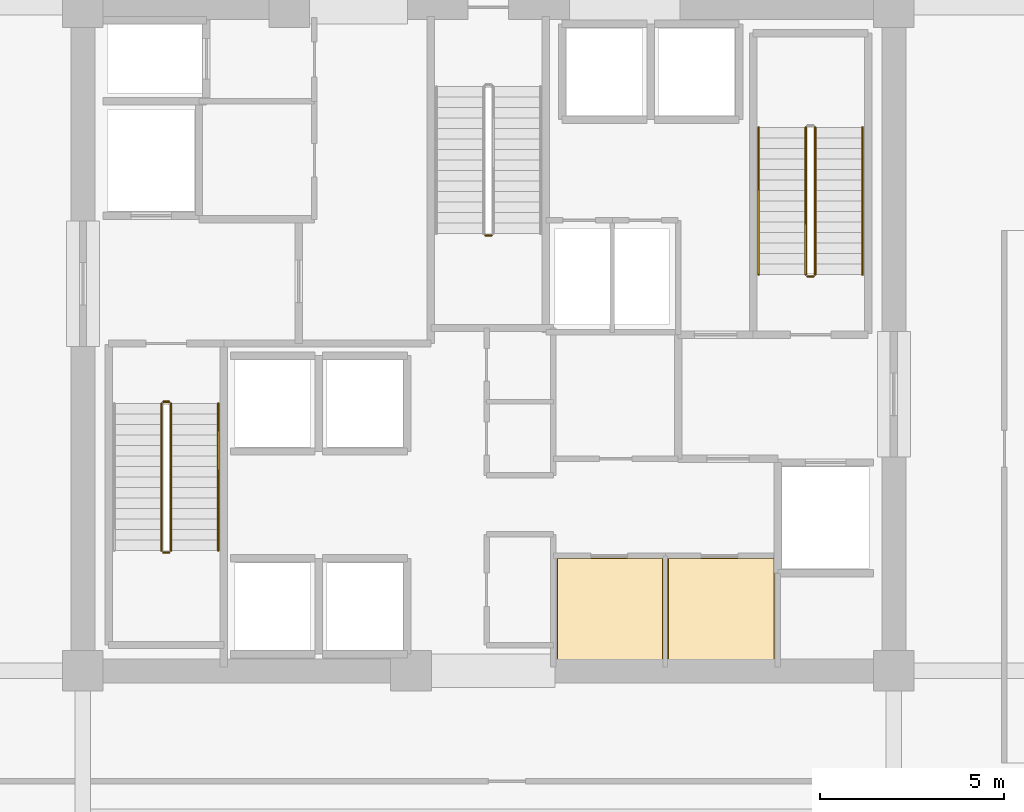
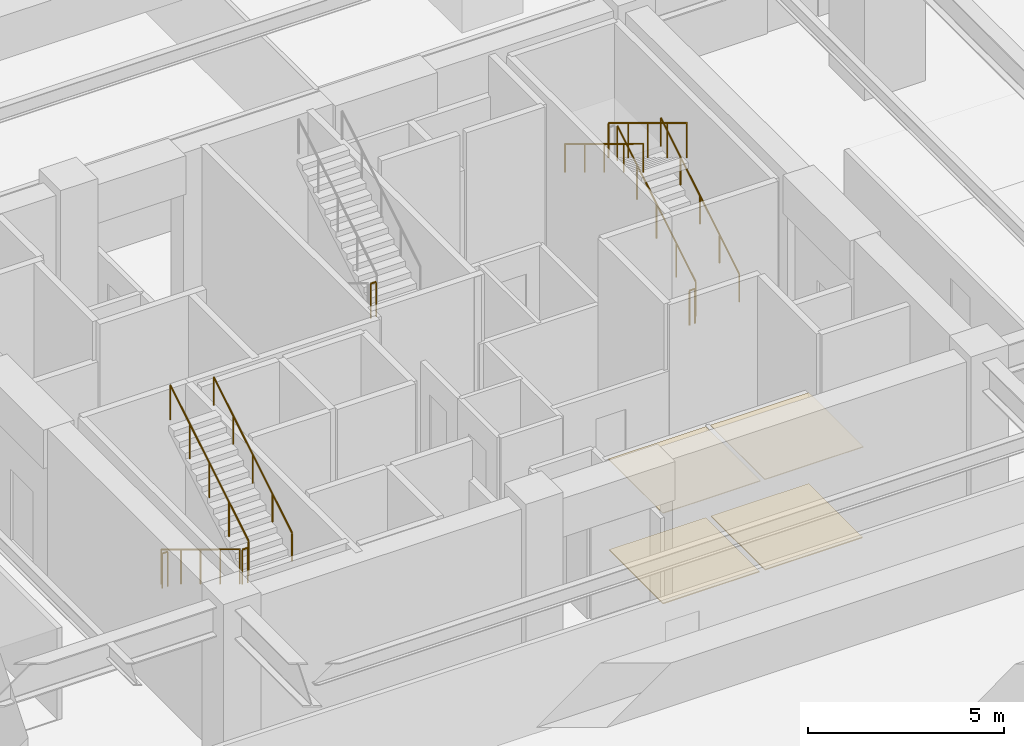
# One storey, part 41 of 45: 11 railings, 4 coverings.
"""IFC4 building model written with IfcOpenShell, lengths in metres."""

from ifc_helpers import new_model, si_unit, direction, frame, origin, origin_2d, place, context, subcontext, project, spatial, polyline, circle, outline, extrude, material, layer, layer_set, type_object, element, save


model = new_model("IFC4")

# Units and contexts
model_context = context("Model", 3, precision=1e-05, world=origin(), true_north=direction((0.0, 1.0)))
body_context = subcontext(model_context, "Body", "Model", "MODEL_VIEW")
ifc_project = project(units=[si_unit("LENGTHUNIT", "METRE"), si_unit("AREAUNIT", "SQUARE_METRE"), si_unit("VOLUMEUNIT", "CUBIC_METRE"), si_unit("PLANEANGLEUNIT", "RADIAN"), si_unit("MASSUNIT", "GRAM", prefix="KILO")], contexts=[model_context])

# Site, building, storey
site_placement = place(None, origin())
site = spatial("IfcSite", under=ifc_project, at=site_placement, CompositionType="ELEMENT")
building_placement = place(site_placement, origin())
building = spatial("IfcBuilding", under=site, at=building_placement, Name="Kovane Verandah Tower", CompositionType="ELEMENT")
storey_placement = place(building_placement, frame((0.0, 0.0, 6.0)))
storey = spatial("IfcBuildingStorey", under=building, at=storey_placement, Name="L01", CompositionType="ELEMENT", Elevation=6.0)

# Coverings
ifc_material_1 = material(Name="Perforated Acoustic Mineral-Fibre Ceiling Tile", Category="gypsum")
ifc_layer_1 = layer(ifc_material_1, 0.02490234375)
ifc_layer_set_1 = layer_set([ifc_layer_1], Name="Perforated Acoustic Mineral-Fibre Ceiling Tile")
covering_type_1 = type_object("IfcCoveringType", Name="CV-CEIL-25", PredefinedType="CEILING", material=ifc_layer_set_1)
covering_1_placement = place(storey_placement, frame((0.0, 0.0, 2.824951171875)))
element("IfcCovering", 1, at=covering_1_placement, inside=storey, type_object=covering_type_1, Name="L01 AV Control Room Acoustic Ceiling", PredefinedType="CEILING", context=body_context, shape_type="SweptSolid", body=[
    extrude(outline(polyline([(41.864990234375, 18.784912109375), (44.735107421875, 18.784912109375), (44.735107421875, 21.56494140625), (41.864990234375, 21.56494140625), (41.864990234375, 18.784912109375)])), origin(), (0.0, 0.0, 1.0), 0.025146484375),
])
covering_2_placement = place(storey_placement, frame((0.0, 0.0, 2.824951171875)))
element("IfcCovering", 2, at=covering_2_placement, inside=storey, type_object=covering_type_1, Name="L01 East IT Server Room Acoustic Ceiling", PredefinedType="CEILING", context=body_context, shape_type="SweptSolid", body=[
    extrude(outline(polyline([(44.864990234375, 18.784912109375), (47.764892578125, 18.784912109375), (47.764892578125, 21.56494140625), (44.864990234375, 21.56494140625), (44.864990234375, 18.784912109375)])), origin(), (0.0, 0.0, 1.0), 0.025146484375),
])
ifc_material_2 = material(Name="Polished Terrazzo and Raised-Access Carpet Tile Finish", Category="concrete")
ifc_layer_2 = layer(ifc_material_2, 0.030029296875)
ifc_layer_set_2 = layer_set([ifc_layer_2], Name="Polished Terrazzo and Raised-Access Carpet Tile Finish")
covering_type_2 = type_object("IfcCoveringType", Name="CV-FLOR-30", PredefinedType="FLOORING", material=ifc_layer_set_2)
covering_3_placement = place(storey_placement, origin())
element("IfcCovering", 3, at=covering_3_placement, inside=storey, type_object=covering_type_2, Name="L01 AV Control Room Floor Finish", PredefinedType="FLOORING", context=body_context, shape_type="SweptSolid", body=[
    extrude(outline(polyline([(41.8798828125, 18.800048828125), (44.719970703125, 18.800048828125), (44.719970703125, 21.550048828125), (41.8798828125, 21.550048828125), (41.8798828125, 18.800048828125)])), origin(), (0.0, 0.0, 1.0), 0.030029296875),
])
covering_4_placement = place(storey_placement, origin())
element("IfcCovering", 4, at=covering_4_placement, inside=storey, type_object=covering_type_2, Name="L01 East IT Server Room Floor Finish", PredefinedType="FLOORING", context=body_context, shape_type="SweptSolid", body=[
    extrude(outline(polyline([(44.8798828125, 18.800048828125), (47.75, 18.800048828125), (47.75, 21.550048828125), (44.8798828125, 21.550048828125), (44.8798828125, 18.800048828125)])), origin(), (0.0, 0.0, 1.0), 0.030029296875),
])

# Railings
ifc_material_3 = material(Name="Brushed Stainless Steel Handrail", Category="steel")
railing_type_1 = type_object("IfcRailingType", Name="RL-HAND-920", PredefinedType="HANDRAIL", material=ifc_material_3)
railing_1_placement = place(storey_placement, frame((32.669921875, 21.760009765625, 2.7734375)))
element("IfcRailing", 5, at=railing_1_placement, inside=storey, type_object=railing_type_1, Name="L01 ST-01 stair handrail 2", PredefinedType="HANDRAIL", context=body_context, shape_type="SweptSolid", body=[
    extrude(circle(Radius=0.02392578125, at=origin_2d()), frame((0.0, 0.0, 0.8759765625), z_axis=(0.0, 0.854405443041, 0.519606908058), x_axis=(-1.0, 0.0, 0.0)), (0.0, 0.0, 1.0), 4.669921875),
    extrude(circle(Radius=0.02099609375, at=origin_2d()), origin(), (0.0, 0.0, 1.0), 0.851806640625),
    extrude(circle(Radius=0.02099609375, at=origin_2d()), frame((0.0, 0.99755859375, 0.606689453125)), (0.0, 0.0, 1.0), 0.851806640625),
    extrude(circle(Radius=0.02099609375, at=origin_2d()), frame((0.0, 1.9951171875, 1.21337890625)), (0.0, 0.0, 1.0), 0.851806640625),
    extrude(circle(Radius=0.02099609375, at=origin_2d()), frame((0.0, 2.992431640625, 1.81982421875)), (0.0, 0.0, 1.0), 0.851806640625),
    extrude(circle(Radius=0.02099609375, at=origin_2d()), frame((0.0, 3.989990234375, 2.426513671875)), (0.0, 0.0, 1.0), 0.851806640625),
])
railing_2_placement = place(storey_placement, frame((50.14990234375, 29.25, 0.17333984375)))
element("IfcRailing", 6, at=railing_2_placement, inside=storey, type_object=railing_type_1, Name="L01 ST-02 stair handrail 1", PredefinedType="HANDRAIL", context=body_context, shape_type="SweptSolid", body=[
    extrude(circle(Radius=0.02392578125, at=origin_2d()), frame((0.0, 0.0, 0.8759765625), z_axis=(0.0, 0.854382233033, 0.519645071061), x_axis=(-1.0, 0.0, 0.0)), (0.0, 0.0, 1.0), 4.669921875),
    extrude(circle(Radius=0.02099609375, at=origin_2d()), origin(), (0.0, 0.0, 1.0), 0.851806640625),
    extrude(circle(Radius=0.02099609375, at=origin_2d()), frame((0.0, 0.99755859375, 0.606689453125)), (0.0, 0.0, 1.0), 0.851806640625),
    extrude(circle(Radius=0.02099609375, at=origin_2d()), frame((0.0, 1.9951171875, 1.21337890625)), (0.0, 0.0, 1.0), 0.851806640625),
    extrude(circle(Radius=0.02099609375, at=origin_2d()), frame((0.0, 2.992431640625, 1.820068359375)), (0.0, 0.0, 1.0), 0.851806640625),
    extrude(circle(Radius=0.02099609375, at=origin_2d()), frame((0.0, 3.989990234375, 2.4267578125)), (0.0, 0.0, 1.0), 0.851806640625),
])
railing_3_placement = place(storey_placement, frame((47.330078125, 33.239990234375, 2.7734375)))
element("IfcRailing", 7, at=railing_3_placement, inside=storey, type_object=railing_type_1, Name="L01 ST-02 stair handrail 2", PredefinedType="HANDRAIL", context=body_context, shape_type="SweptSolid", body=[
    extrude(circle(Radius=0.02392578125, at=origin_2d()), frame((0.0, 0.0, 0.8759765625), z_axis=(0.0, -0.854405443041, 0.519606908058), x_axis=(1.0, 0.0, 0.0)), (0.0, 0.0, 1.0), 4.669921875),
    extrude(circle(Radius=0.02099609375, at=origin_2d()), origin(), (0.0, 0.0, 1.0), 0.851806640625),
    extrude(circle(Radius=0.02099609375, at=origin_2d()), frame((0.0, -0.99755859375, 0.606689453125)), (0.0, 0.0, 1.0), 0.851806640625),
    extrude(circle(Radius=0.02099609375, at=origin_2d()), frame((0.0, -1.9951171875, 1.21337890625)), (0.0, 0.0, 1.0), 0.851806640625),
    extrude(circle(Radius=0.02099609375, at=origin_2d()), frame((0.0, -2.992431640625, 1.81982421875)), (0.0, 0.0, 1.0), 0.851806640625),
    extrude(circle(Radius=0.02099609375, at=origin_2d()), frame((0.0, -3.989990234375, 2.426513671875)), (0.0, 0.0, 1.0), 0.851806640625),
])
ifc_material_4 = material(Name="Painted Steel Stairwell Guardrail", Category="steel")
railing_type_2 = type_object("IfcRailingType", Name="RL-STGUARD-1120", PredefinedType="GUARDRAIL", material=ifc_material_4)
railing_4_placement = place(storey_placement, frame((31.1298828125, 25.75, 0.17333984375)))
element("IfcRailing", 8, at=railing_4_placement, inside=storey, type_object=railing_type_2, Name="L01 ST-01 stair guard 1", PredefinedType="GUARDRAIL", context=body_context, shape_type="SweptSolid", body=[
    extrude(circle(Radius=0.02392578125, at=origin_2d()), frame((0.0, 0.0, 1.076171875), z_axis=(0.0, -0.854382233033, 0.519645071061), x_axis=(1.0, 0.0, 0.0)), (0.0, 0.0, 1.0), 4.669921875),
    extrude(circle(Radius=0.02099609375, at=origin_2d()), origin(), (0.0, 0.0, 1.0), 1.052001953125),
    extrude(circle(Radius=0.02099609375, at=origin_2d()), frame((0.0, -0.99755859375, 0.606689453125)), (0.0, 0.0, 1.0), 1.052001953125),
    extrude(circle(Radius=0.02099609375, at=origin_2d()), frame((0.0, -1.9951171875, 1.21337890625)), (0.0, 0.0, 1.0), 1.052001953125),
    extrude(circle(Radius=0.02099609375, at=origin_2d()), frame((0.0, -2.992431640625, 1.820068359375)), (0.0, 0.0, 1.0), 1.052001953125),
    extrude(circle(Radius=0.02099609375, at=origin_2d()), frame((0.0, -3.989990234375, 2.4267578125)), (0.0, 0.0, 1.0), 1.052001953125),
])
railing_5_placement = place(storey_placement, frame((31.179931640625, 21.7099609375, 2.60009765625)))
element("IfcRailing", 9, at=railing_5_placement, inside=storey, type_object=railing_type_2, Name="L01 ST-01 stair guard 2", PredefinedType="GUARDRAIL", context=body_context, shape_type="SweptSolid", body=[
    extrude(circle(Radius=0.02392578125, at=origin_2d()), frame((0.0, 0.0, 1.076171875), z_axis=(1.0, 0.0, 0.0), x_axis=(0.0, 1.0, 0.0)), (0.0, 0.0, 1.0), 0.16015625),
    extrude(circle(Radius=0.02099609375, at=origin_2d()), origin(), (0.0, 0.0, 1.0), 1.052001953125),
    extrude(circle(Radius=0.02099609375, at=origin_2d()), frame((0.16015625, 0.0, 0.0)), (0.0, 0.0, 1.0), 1.052001953125),
])
railing_6_placement = place(storey_placement, frame((31.389892578125, 21.760009765625, 2.7734375)))
element("IfcRailing", 10, at=railing_6_placement, inside=storey, type_object=railing_type_2, Name="L01 ST-01 stair guard 3", PredefinedType="GUARDRAIL", context=body_context, shape_type="SweptSolid", body=[
    extrude(circle(Radius=0.02392578125, at=origin_2d()), frame((0.0, 0.0, 1.076171875), z_axis=(0.0, 0.854405443041, 0.519606908058), x_axis=(-1.0, 0.0, 0.0)), (0.0, 0.0, 1.0), 4.669921875),
    extrude(circle(Radius=0.02099609375, at=origin_2d()), origin(), (0.0, 0.0, 1.0), 1.052001953125),
    extrude(circle(Radius=0.02099609375, at=origin_2d()), frame((0.0, 0.99755859375, 0.606689453125)), (0.0, 0.0, 1.0), 1.052001953125),
    extrude(circle(Radius=0.02099609375, at=origin_2d()), frame((0.0, 1.9951171875, 1.21337890625)), (0.0, 0.0, 1.0), 1.052001953125),
    extrude(circle(Radius=0.02099609375, at=origin_2d()), frame((0.0, 2.992431640625, 1.81982421875)), (0.0, 0.0, 1.0), 1.052001953125),
    extrude(circle(Radius=0.02099609375, at=origin_2d()), frame((0.0, 3.989990234375, 2.426513671875)), (0.0, 0.0, 1.0), 1.052001953125),
])
railing_7_placement = place(storey_placement, frame((31.179931640625, 25.800048828125, 0.0)))
element("IfcRailing", 11, at=railing_7_placement, inside=storey, type_object=railing_type_2, Name="L01 ST-01 stair guard 4", PredefinedType="GUARDRAIL", context=body_context, shape_type="SweptSolid", body=[
    extrude(circle(Radius=0.02392578125, at=origin_2d()), frame((0.0, 0.0, 1.076171875), z_axis=(1.0, 0.0, 0.0), x_axis=(0.0, 1.0, 0.0)), (0.0, 0.0, 1.0), 0.16015625),
    extrude(circle(Radius=0.02099609375, at=origin_2d()), origin(), (0.0, 0.0, 1.0), 1.052001953125),
    extrude(circle(Radius=0.02099609375, at=origin_2d()), frame((0.16015625, 0.0, 0.0)), (0.0, 0.0, 1.0), 1.052001953125),
])
railing_8_placement = place(storey_placement, frame((48.8701171875, 29.25, 0.17333984375)))
element("IfcRailing", 12, at=railing_8_placement, inside=storey, type_object=railing_type_2, Name="L01 ST-02 stair guard 1", PredefinedType="GUARDRAIL", context=body_context, shape_type="SweptSolid", body=[
    extrude(circle(Radius=0.02392578125, at=origin_2d()), frame((0.0, 0.0, 1.076171875), z_axis=(0.0, 0.854382233033, 0.519645071061), x_axis=(-1.0, 0.0, 0.0)), (0.0, 0.0, 1.0), 4.669921875),
    extrude(circle(Radius=0.02099609375, at=origin_2d()), origin(), (0.0, 0.0, 1.0), 1.052001953125),
    extrude(circle(Radius=0.02099609375, at=origin_2d()), frame((0.0, 0.99755859375, 0.606689453125)), (0.0, 0.0, 1.0), 1.052001953125),
    extrude(circle(Radius=0.02099609375, at=origin_2d()), frame((0.0, 1.9951171875, 1.21337890625)), (0.0, 0.0, 1.0), 1.052001953125),
    extrude(circle(Radius=0.02099609375, at=origin_2d()), frame((0.0, 2.992431640625, 1.820068359375)), (0.0, 0.0, 1.0), 1.052001953125),
    extrude(circle(Radius=0.02099609375, at=origin_2d()), frame((0.0, 3.989990234375, 2.4267578125)), (0.0, 0.0, 1.0), 1.052001953125),
])
railing_9_placement = place(storey_placement, frame((48.610107421875, 33.239990234375, 2.7734375)))
element("IfcRailing", 13, at=railing_9_placement, inside=storey, type_object=railing_type_2, Name="L01 ST-02 stair guard 3", PredefinedType="GUARDRAIL", context=body_context, shape_type="SweptSolid", body=[
    extrude(circle(Radius=0.02392578125, at=origin_2d()), frame((0.0, 0.0, 1.076171875), z_axis=(0.0, -0.854405443041, 0.519606908058), x_axis=(1.0, 0.0, 0.0)), (0.0, 0.0, 1.0), 4.669921875),
    extrude(circle(Radius=0.02099609375, at=origin_2d()), origin(), (0.0, 0.0, 1.0), 1.052001953125),
    extrude(circle(Radius=0.02099609375, at=origin_2d()), frame((0.0, -0.99755859375, 0.606689453125)), (0.0, 0.0, 1.0), 1.052001953125),
    extrude(circle(Radius=0.02099609375, at=origin_2d()), frame((0.0, -1.9951171875, 1.21337890625)), (0.0, 0.0, 1.0), 1.052001953125),
    extrude(circle(Radius=0.02099609375, at=origin_2d()), frame((0.0, -2.992431640625, 1.81982421875)), (0.0, 0.0, 1.0), 1.052001953125),
    extrude(circle(Radius=0.02099609375, at=origin_2d()), frame((0.0, -3.989990234375, 2.426513671875)), (0.0, 0.0, 1.0), 1.052001953125),
])
railing_10_placement = place(storey_placement, frame((48.820068359375, 29.199951171875, 0.0)))
element("IfcRailing", 14, at=railing_10_placement, inside=storey, type_object=railing_type_2, Name="L01 ST-02 stair guard 4", PredefinedType="GUARDRAIL", context=body_context, shape_type="SweptSolid", body=[
    extrude(circle(Radius=0.02392578125, at=origin_2d()), frame((0.0, 0.0, 1.076171875), z_axis=(-1.0, 0.0, 0.0), x_axis=(0.0, -1.0, 0.0)), (0.0, 0.0, 1.0), 0.16015625),
    extrude(circle(Radius=0.02099609375, at=origin_2d()), origin(), (0.0, 0.0, 1.0), 1.052001953125),
    extrude(circle(Radius=0.02099609375, at=origin_2d()), frame((-0.16015625, 0.0, 0.0)), (0.0, 0.0, 1.0), 1.052001953125),
])
railing_11_placement = place(storey_placement, frame((39.919921875, 30.31005859375, 2.60009765625)))
element("IfcRailing", 15, at=railing_11_placement, inside=storey, type_object=railing_type_2, Name="L01 ST-03 stair guard 2", PredefinedType="GUARDRAIL", context=body_context, shape_type="SweptSolid", body=[
    extrude(circle(Radius=0.02392578125, at=origin_2d()), frame((0.0, 0.0, 1.076171875), z_axis=(1.0, 0.0, 0.0), x_axis=(0.0, 1.0, 0.0)), (0.0, 0.0, 1.0), 0.16015625),
    extrude(circle(Radius=0.02099609375, at=origin_2d()), origin(), (0.0, 0.0, 1.0), 1.052001953125),
    extrude(circle(Radius=0.02099609375, at=origin_2d()), frame((0.16015625, 0.0, 0.0)), (0.0, 0.0, 1.0), 1.052001953125),
])

save(model, "model.ifc")
